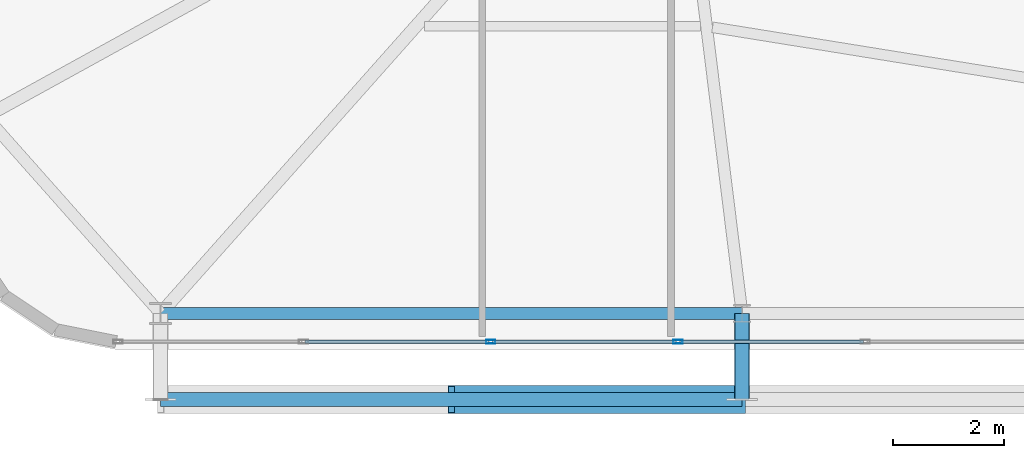
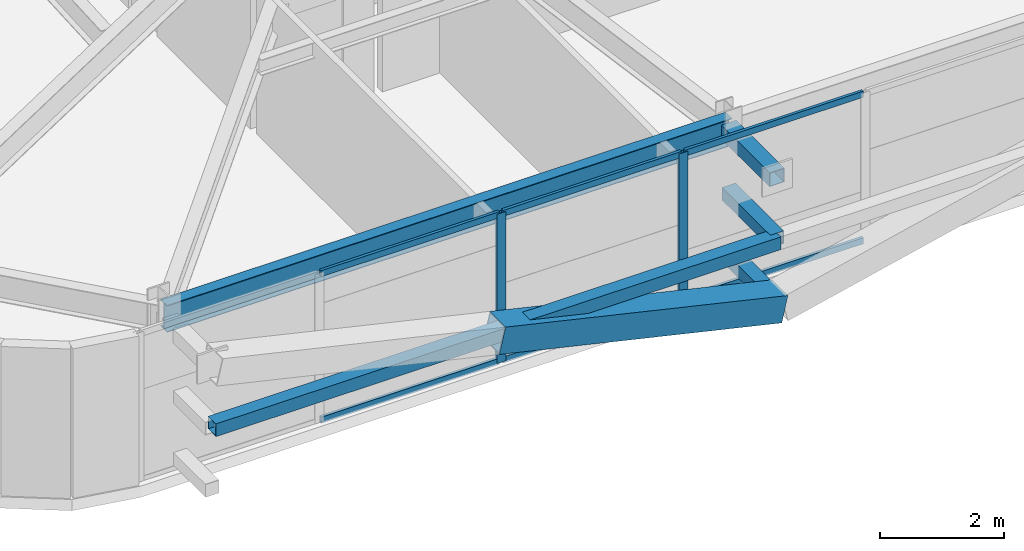
# One storey, part 6 of 59: 13 members, 1 beam, 1 element without a shape of its own.
"""IFC4 building model written with IfcOpenShell, lengths in metres."""

from ifc_helpers import new_model, si_unit, direction, frame, origin, origin_2d, place, context, subcontext, project, spatial, hollow_rectangle, i_section, extrude, source, transform, mapped, material, layer, layer_set, material_profile, profile_set, type_object, element, aggregate, save


model = new_model("IFC4")

# Units and contexts
model_context = context("Model", 3, precision=1e-05, world=origin(), true_north=direction((0.0, 1.0)))
body_context = subcontext(model_context, "Body", "Model", "MODEL_VIEW")
ifc_project = project(units=[si_unit("LENGTHUNIT", "METRE"), si_unit("AREAUNIT", "SQUARE_METRE"), si_unit("VOLUMEUNIT", "CUBIC_METRE"), si_unit("PLANEANGLEUNIT", "RADIAN"), si_unit("MASSUNIT", "GRAM", prefix="KILO")], contexts=[model_context])

# Site, building, storey
site_placement = place(None, origin())
site = spatial("IfcSite", under=ifc_project, at=site_placement, CompositionType="ELEMENT")
building_placement = place(site_placement, origin())
building = spatial("IfcBuilding", under=site, at=building_placement, Name="Taldren Reach Tower", CompositionType="ELEMENT")
storey_placement = place(building_placement, frame((0.0, 0.0, 45.14990234375)))
storey = spatial("IfcBuildingStorey", under=building, at=storey_placement, Name="L13", CompositionType="ELEMENT", Elevation=45.14990234375)

# Beam
ifc_material_1 = material(Name="Steel Gr 350 (350PLUS)", Category="steel")
ifc_material_profile_1 = material_profile(ifc_material_1, i_section(OverallWidth=0.208984375, OverallDepth=0.528076171875, WebThickness=0.009521484375, FlangeThickness=0.01318359375, at=origin_2d()), Name="530UB82.0")
ifc_profile_set_1 = profile_set([ifc_material_profile_1], Name="Steel Gr 350 (350PLUS)")
beam_type = type_object("IfcBeamType", Name="SP-UB530B", PredefinedType="SPANDREL", material=ifc_profile_set_1)
shared_shape_1 = source(origin(), body_context, "Body", "SweptSolid", [
    extrude(i_section(OverallWidth=0.208984375, OverallDepth=0.528076171875, WebThickness=0.009521484375, FlangeThickness=0.01318359375, at=origin_2d()), origin(), (0.0, 0.0, 1.0), 10.47998046875),
])
beam_placement = place(storey_placement, frame((8.800048828125, 2.14990234375, 2.666015625), z_axis=(1.0, 0.0, 0.0), x_axis=(0.0, 1.0, 0.0)))
element("IfcBeam", 1, at=beam_placement, inside=storey, type_object=beam_type, Name="Perimeter spandrel B1 S1-S2 L13", PredefinedType="SPANDREL", context=body_context, shape_type="MappedRepresentation", body=[
    mapped(shared_shape_1, transform((0.0, 0.0, 0.0), scale=1.0)),
])

# Members
ifc_material_2 = material(Name="Steel Gr 450 (C450L0)", Category="steel")
ifc_material_profile_2 = material_profile(ifc_material_2, hollow_rectangle(XDim=0.27490234375, YDim=0.27490234375, WallThickness=0.00927734375, at=origin_2d()), Name="275x275x9.3SHS")
ifc_profile_set_2 = profile_set([ifc_material_profile_2], Name="Steel Gr 450 (C450L0)")
member_type_1 = type_object("IfcMemberType", Name="MB-TIE273", PredefinedType="STRUT", material=ifc_profile_set_2)
shared_shape_2 = source(origin(), body_context, "Body", "SweptSolid", [
    extrude(hollow_rectangle(XDim=0.27490234375, YDim=0.27490234375, WallThickness=0.00927734375, at=origin_2d()), origin(), (0.0, 0.0, 1.0), 1.5498046875),
])
member_1_placement = place(storey_placement, frame((19.280029296875, 2.14990234375, 2.650146484375), z_axis=(0.0, -1.0, 0.0), x_axis=(1.0, 0.0, 0.0)))
element("IfcMember", 2, at=member_1_placement, inside=storey, type_object=member_type_1, Name="Exoskeleton diaphragm tie strut B1-S2 L13", PredefinedType="STRUT", context=body_context, shape_type="MappedRepresentation", body=[
    mapped(shared_shape_2, transform((0.0, 0.0, 0.0), scale=1.0)),
])
ifc_material_profile_3 = material_profile(ifc_material_2, hollow_rectangle(XDim=0.510009765625, YDim=0.510009765625, WallThickness=0.02001953125, at=origin_2d()), Name="510x510x20.0SHS")
ifc_profile_set_3 = profile_set([ifc_material_profile_3], Name="Steel Gr 450 (C450L0)")
member_type_2 = type_object("IfcMemberType", Name="MB-EXO508", PredefinedType="BRACE", material=ifc_profile_set_3)
shared_shape_3 = source(origin(), body_context, "Body", "SweptSolid", [
    extrude(hollow_rectangle(XDim=0.510009765625, YDim=0.510009765625, WallThickness=0.02001953125, at=origin_2d()), origin(), (0.0, 0.0, 1.0), 5.37890625),
])
member_2_placement = place(storey_placement, frame((19.280029296875, 0.60009765625, 0.22021484375), z_axis=(-0.974161966843, 0.0, 0.225850531007), x_axis=(0.0, -1.0, 0.0)))
element("IfcMember", 3, at=member_2_placement, inside=storey, type_object=member_type_2, Name="Exoskeleton Diagrid Brace B1-S1 L13", PredefinedType="BRACE", context=body_context, shape_type="MappedRepresentation", body=[
    mapped(shared_shape_3, transform((0.0, 0.0, 0.0), scale=1.0)),
])
ifc_material_3 = material(Name="Steel Gr 350 (C350L0)", Category="steel")
ifc_material_profile_4 = material_profile(ifc_material_3, hollow_rectangle(XDim=0.25, YDim=0.25, WallThickness=0.010009765625, at=origin_2d()), Name="250x250x10.0SHS")
ifc_profile_set_4 = profile_set([ifc_material_profile_4], Name="Steel Gr 350 (C350L0)")
member_type_3 = type_object("IfcMemberType", Name="MB-POST250", PredefinedType="POST", material=ifc_profile_set_4)
shared_shape_4 = source(origin(), body_context, "Body", "SweptSolid", [
    extrude(hollow_rectangle(XDim=0.25, YDim=0.25, WallThickness=0.010009765625, at=origin_2d()), origin(), (0.0, 0.0, 1.0), 10.47998046875),
])
member_3_placement = place(storey_placement, frame((8.800048828125, 0.60009765625, 1.43505859375), z_axis=(1.0, 0.0, 0.0), x_axis=(0.0, 1.0, 0.0)))
element("IfcMember", 4, at=member_3_placement, inside=storey, type_object=member_type_3, Name="Exoskeleton mid-height ring chord B1-S1 L13", PredefinedType="POST", context=body_context, shape_type="MappedRepresentation", body=[
    mapped(shared_shape_4, transform((0.0, 0.0, 0.0), scale=1.0)),
])
shared_shape_5 = source(origin(), body_context, "Body", "SweptSolid", [
    extrude(hollow_rectangle(XDim=0.25, YDim=0.25, WallThickness=0.010009765625, at=origin_2d()), origin(), (0.0, 0.0, 1.0), 1.5498046875),
])
for number, where, z_axis, x_axis, name in (
    (5, (19.280029296875, 2.14990234375, 0.22021484375), (0.0, -1.0, 0.0), (1.0, 0.0, 0.0), "Exoskeleton base diaphragm tie strut B1-S2 L13"),
    (6, (19.280029296875, 2.14990234375, 1.43505859375), (0.0, -1.0, 0.0), (1.0, 0.0, 0.0), "Exoskeleton mid-tier diaphragm tie B1-S2 L13"),
):
    element("IfcMember", number, at=place(storey_placement, frame(where, z_axis=z_axis, x_axis=x_axis)), inside=storey, type_object=member_type_3, Name=name, PredefinedType="POST", context=body_context, shape_type="MappedRepresentation", body=[
        mapped(shared_shape_5, transform((0.0, 0.0, 0.0), scale=1.0)),
    ])

# Curtain wall, members
ifc_material_4 = material(Name="Aluminium and Low-E Glass Unitised System", Category="aluminium")
ifc_layer = layer(ifc_material_4, 0.159912109375)
ifc_layer_set = layer_set([ifc_layer], Name="Aluminium and Low-E Glass Unitised System")
curtain_wall_type = type_object("IfcCurtainWallType", Name="CW-SYS-2", PredefinedType="NOTDEFINED", material=ifc_layer_set)
curtain_wall_placement = place(storey_placement, origin())
curtain_wall = element("IfcCurtainWall", 7, at=curtain_wall_placement, inside=storey, type_object=curtain_wall_type, Name="Unitised curtain wall CW-L13-S", PredefinedType="NOTDEFINED")
ifc_material_5 = material(Name="Anodised Aluminium 6063-T6", Category="aluminium")
ifc_material_profile_5 = material_profile(ifc_material_5, hollow_rectangle(XDim=0.054931640625, YDim=0.1201171875, WallThickness=0.0029296875, at=origin_2d()), Name="ALU-120x55x3RHS")
ifc_profile_set_5 = profile_set([ifc_material_profile_5], Name="Anodised Aluminium 6063-T6")
member_type_4 = type_object("IfcMemberType", Name="CW-TRN-135", PredefinedType="USERDEFINED", material=ifc_profile_set_5)
shared_shape_6 = source(origin(), body_context, "Body", "SweptSolid", [
    extrude(hollow_rectangle(XDim=0.054931640625, YDim=0.1201171875, WallThickness=0.0029296875, at=origin_2d()), origin(), (0.0, 0.0, 1.0), 3.31005859375),
])
member_4_placement = place(storey_placement, frame((11.407470703125, 1.639892578125, 0.027587890625), z_axis=(1.0, 0.0, 0.0), x_axis=(0.0, 1.0, 0.0)))
member_4 = element("IfcMember", 8, at=member_4_placement, type_object=member_type_4, Name="CW-2 transom 2.1", ObjectType="TRANSOM", PredefinedType="USERDEFINED", context=body_context, shape_type="MappedRepresentation", body=[
    mapped(shared_shape_6, transform((0.0, 0.0, 0.0), scale=1.0)),
])
member_5_placement = place(storey_placement, frame((11.407470703125, 1.639892578125, 2.902587890625), z_axis=(1.0, 0.0, 0.0), x_axis=(0.0, 1.0, 0.0)))
member_5 = element("IfcMember", 9, at=member_5_placement, type_object=member_type_4, Name="CW-2 transom 2.2", ObjectType="TRANSOM", PredefinedType="USERDEFINED", context=body_context, shape_type="MappedRepresentation", body=[
    mapped(shared_shape_6, transform((0.0, 0.0, 0.0), scale=1.0)),
])
member_6_placement = place(storey_placement, frame((14.782470703125, 1.639892578125, 0.027587890625), z_axis=(1.0, 0.0, 0.0), x_axis=(0.0, 1.0, 0.0)))
member_6 = element("IfcMember", 10, at=member_6_placement, type_object=member_type_4, Name="CW-2 transom 3.1", ObjectType="TRANSOM", PredefinedType="USERDEFINED", context=body_context, shape_type="MappedRepresentation", body=[
    mapped(shared_shape_6, transform((0.0, 0.0, 0.0), scale=1.0)),
])
member_7_placement = place(storey_placement, frame((14.782470703125, 1.639892578125, 2.902587890625), z_axis=(1.0, 0.0, 0.0), x_axis=(0.0, 1.0, 0.0)))
member_7 = element("IfcMember", 11, at=member_7_placement, type_object=member_type_4, Name="CW-2 transom 3.2", ObjectType="TRANSOM", PredefinedType="USERDEFINED", context=body_context, shape_type="MappedRepresentation", body=[
    mapped(shared_shape_6, transform((0.0, 0.0, 0.0), scale=1.0)),
])
member_8_placement = place(storey_placement, frame((18.157470703125, 1.639892578125, 0.027587890625), z_axis=(1.0, 0.0, 0.0), x_axis=(0.0, 1.0, 0.0)))
member_8 = element("IfcMember", 12, at=member_8_placement, type_object=member_type_4, Name="CW-2 transom 4.1", ObjectType="TRANSOM", PredefinedType="USERDEFINED", context=body_context, shape_type="MappedRepresentation", body=[
    mapped(shared_shape_6, transform((0.0, 0.0, 0.0), scale=1.0)),
])
member_9_placement = place(storey_placement, frame((18.157470703125, 1.639892578125, 2.902587890625), z_axis=(1.0, 0.0, 0.0), x_axis=(0.0, 1.0, 0.0)))
member_9 = element("IfcMember", 13, at=member_9_placement, type_object=member_type_4, Name="CW-2 transom 4.2", ObjectType="TRANSOM", PredefinedType="USERDEFINED", context=body_context, shape_type="MappedRepresentation", body=[
    mapped(shared_shape_6, transform((0.0, 0.0, 0.0), scale=1.0)),
])
ifc_material_profile_6 = material_profile(ifc_material_5, hollow_rectangle(XDim=0.06494140625, YDim=0.1650390625, WallThickness=0.00390625, at=origin_2d()), Name="ALU-165x65x4RHS")
ifc_profile_set_6 = profile_set([ifc_material_profile_6], Name="Anodised Aluminium 6063-T6")
member_type_5 = type_object("IfcMemberType", Name="CW-MUL-165", PredefinedType="MULLION", material=ifc_profile_set_6)
shared_shape_7 = source(origin(), body_context, "Body", "SweptSolid", [
    extrude(hollow_rectangle(XDim=0.06494140625, YDim=0.1650390625, WallThickness=0.00390625, at=origin_2d()), origin(), (0.0, 0.0, 1.0), 2.93017578125),
])
member_10_placement = place(storey_placement, frame((14.75, 1.639892578125, 0.0), z_axis=(0.0, 0.0, 1.0), x_axis=(0.0, 1.0, 0.0)))
member_10 = element("IfcMember", 14, at=member_10_placement, type_object=member_type_5, Name="CW-2 mullion 3", PredefinedType="MULLION", context=body_context, shape_type="MappedRepresentation", body=[
    mapped(shared_shape_7, transform((0.0, 0.0, 0.0), scale=1.0)),
])
member_11_placement = place(storey_placement, frame((18.125, 1.639892578125, 0.0), z_axis=(0.0, 0.0, 1.0), x_axis=(0.0, 1.0, 0.0)))
member_11 = element("IfcMember", 15, at=member_11_placement, type_object=member_type_5, Name="CW-2 mullion 4", PredefinedType="MULLION", context=body_context, shape_type="MappedRepresentation", body=[
    mapped(shared_shape_7, transform((0.0, 0.0, 0.0), scale=1.0)),
])
aggregate(curtain_wall, [member_10, member_11, member_4, member_5, member_6, member_7, member_8, member_9])

save(model, "model.ifc")
